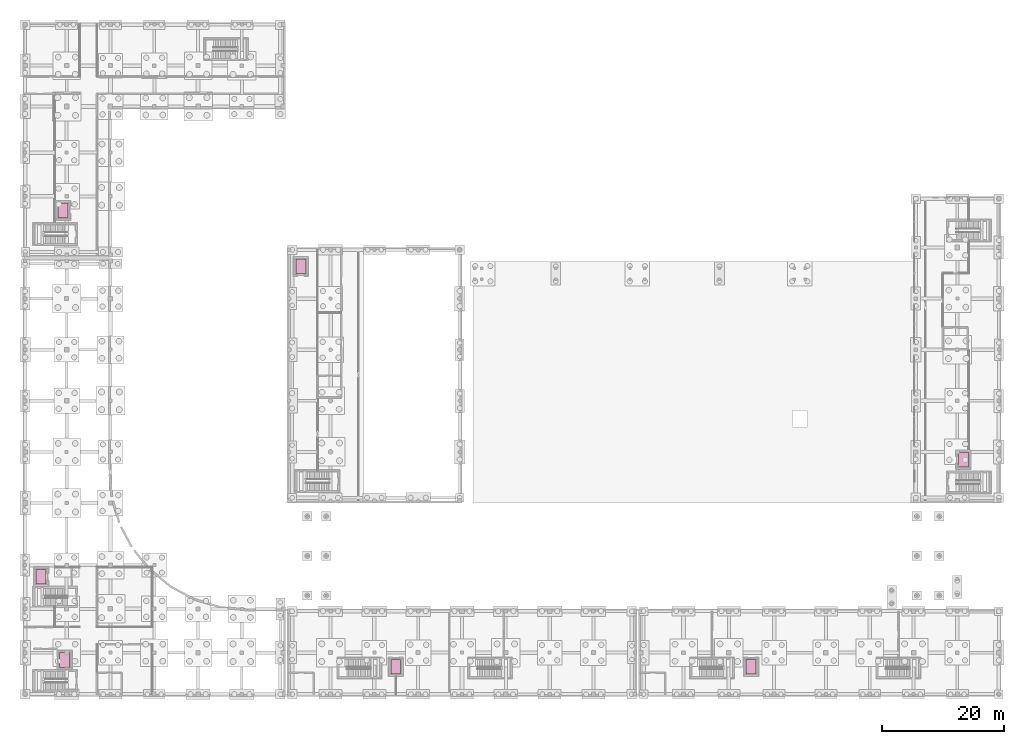
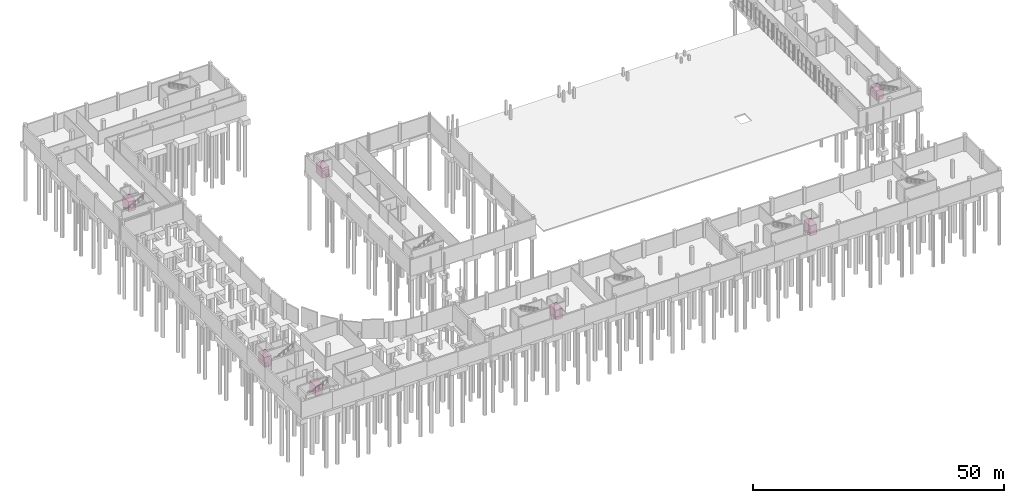
# One storey, part 41 of 41: 7 transport elements.
"""IFC4 building model written with IfcOpenShell, lengths in metres."""

from ifc_helpers import new_model, si_unit, direction, frame, origin, origin_2d, place, context, subcontext, project, spatial, rectangle, extrude, material, type_object, element, save


model = new_model("IFC4")

# Units and contexts
model_context = context("Model", 3, precision=1e-05, world=origin(), true_north=direction((0.0, 1.0)))
body_context = subcontext(model_context, "Body", "Model", "MODEL_VIEW")
ifc_project = project(units=[si_unit("LENGTHUNIT", "METRE"), si_unit("AREAUNIT", "SQUARE_METRE"), si_unit("VOLUMEUNIT", "CUBIC_METRE"), si_unit("PLANEANGLEUNIT", "RADIAN"), si_unit("MASSUNIT", "GRAM", prefix="KILO")], contexts=[model_context])

# Site, building, storey
site_placement = place(None, origin())
site = spatial("IfcSite", under=ifc_project, at=site_placement, CompositionType="ELEMENT")
building_placement = place(site_placement, origin())
building = spatial("IfcBuilding", under=site, at=building_placement, Name="Vardoun Plaza Health Centre", CompositionType="ELEMENT")
storey_placement = place(building_placement, frame((0.0, 0.0, -4.5)))
storey = spatial("IfcBuildingStorey", under=building, at=storey_placement, Name="B1", CompositionType="ELEMENT", Elevation=-4.5)

# Transport elements
ifc_material_1 = material(Name="Stainless Steel Grade 316L Stretcher Lift Car", Category="steel")
transport_element_type_1 = type_object("IfcTransportElementType", Name="LP-TYPE", PredefinedType="ELEVATOR", material=ifc_material_1)
for number, where, z_axis, x_axis, name in (
    (1, (159.10009765625, 43.39990234375, 0.0), (0.0, 0.0, 1.0), (1.0, 0.0, 0.0), "Clinical Stretcher Lift LP-05"),
    (2, (11.10009765625, 84.39990234375, 0.0), (0.0, 0.0, 1.0), (1.0, 0.0, 0.0), "Clinical Stretcher Lift LP-01"),
    (3, (50.199951171875, 75.199951171875, 0.0), (0.0, 0.0, 1.0), (1.0, 0.0, 0.0), "Clinical Stretcher Lift LP-02"),
    (4, (65.800048828125, 9.39990234375, 0.0), (0.0, 0.0, 1.0), (1.0, 0.0, 0.0), "Clinical Stretcher Lift LP-03"),
    (5, (124.199951171875, 9.39990234375, 0.0), (0.0, 0.0, 1.0), (1.0, 0.0, 0.0), "Clinical Stretcher Lift LP-04"),
):
    element("IfcTransportElement", number, at=place(storey_placement, frame(where, z_axis=z_axis, x_axis=x_axis)), inside=storey, type_object=transport_element_type_1, Name=name, PredefinedType="ELEVATOR", context=body_context, shape_type="SweptSolid", body=[
        extrude(rectangle(XDim=1.60009765625, YDim=2.39990234375, at=origin_2d()), origin(), (0.0, 0.0, 1.0), 2.39990234375),
    ])
ifc_material_2 = material(Name="Stainless Steel Grade 316L Firefighters Lift Car", Category="steel")
transport_element_type_2 = type_object("IfcTransportElementType", Name="LF-TYPE", PredefinedType="ELEVATOR", material=ifc_material_2)
for number, where, z_axis, x_axis, name in (
    (6, (11.35009765625, 10.5, 0.0), (0.0, 0.0, 1.0), (1.0, 0.0, 0.0), "Firefighters Lift LF-01"),
    (7, (7.5, 24.199951171875, 0.0), (0.0, 0.0, 1.0), (1.0, 0.0, 0.0), "Firefighters Lift LF-02"),
):
    element("IfcTransportElement", number, at=place(storey_placement, frame(where, z_axis=z_axis, x_axis=x_axis)), inside=storey, type_object=transport_element_type_2, Name=name, PredefinedType="ELEVATOR", context=body_context, shape_type="SweptSolid", body=[
        extrude(rectangle(XDim=1.60009765625, YDim=2.39990234375, at=origin_2d()), origin(), (0.0, 0.0, 1.0), 2.39990234375),
    ])

save(model, "model.ifc")
